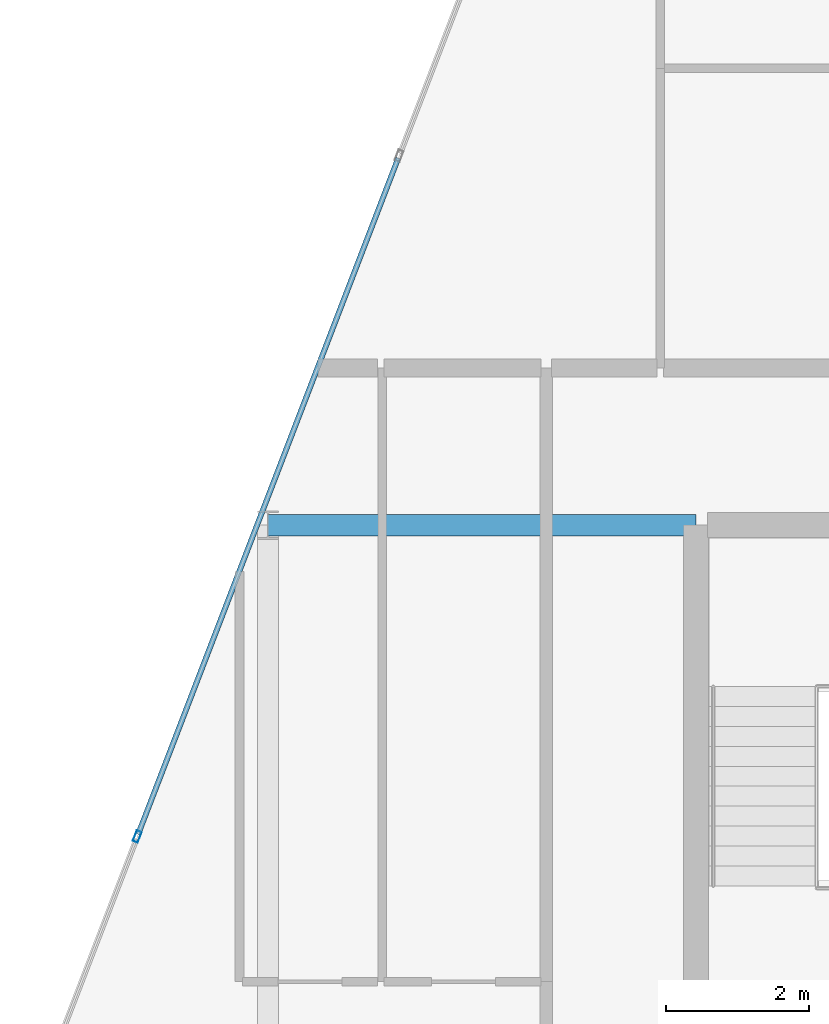
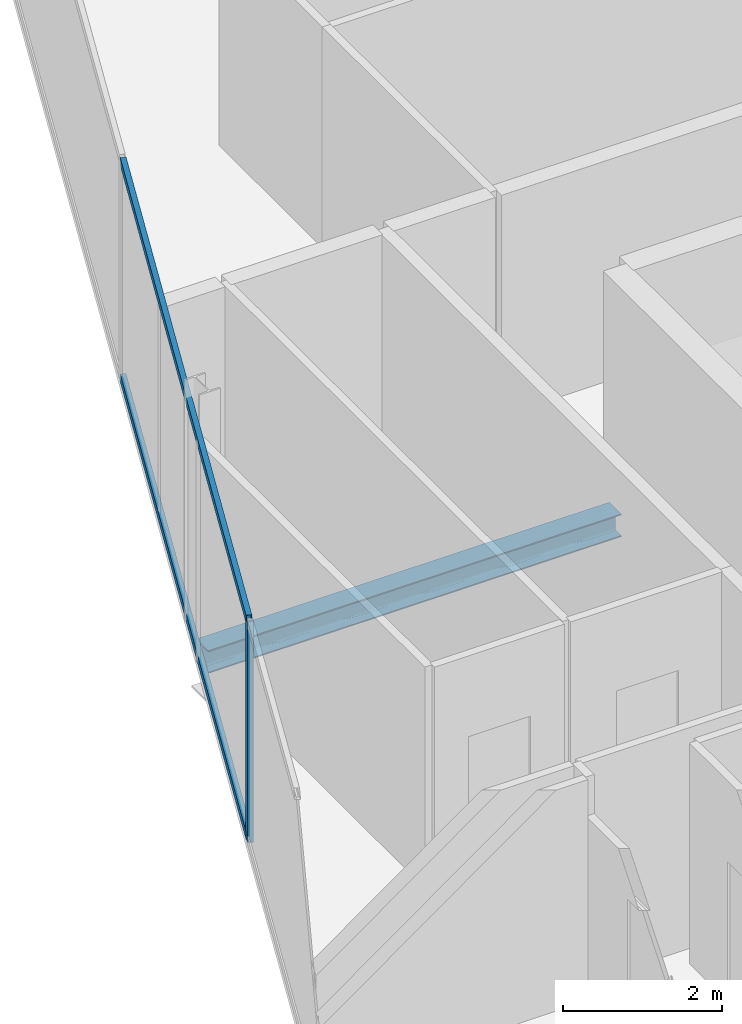
# One storey, part 10 of 27: 3 members, 1 beam, 1 element without a shape of its own.
"""IFC4 building model written with IfcOpenShell, lengths in metres."""

from ifc_helpers import new_model, si_unit, direction, frame, origin, origin_2d, place, context, subcontext, project, spatial, hollow_rectangle, i_section, extrude, material, layer, layer_set, material_profile, profile_set, type_object, element, aggregate, save


model = new_model("IFC4")

# Units and contexts
model_context = context("Model", 3, precision=1e-05, world=origin(), true_north=direction((0.0, 1.0)))
body_context = subcontext(model_context, "Body", "Model", "MODEL_VIEW")
ifc_project = project(units=[si_unit("LENGTHUNIT", "METRE"), si_unit("AREAUNIT", "SQUARE_METRE"), si_unit("VOLUMEUNIT", "CUBIC_METRE"), si_unit("PLANEANGLEUNIT", "RADIAN"), si_unit("MASSUNIT", "GRAM", prefix="KILO")], contexts=[model_context])

# Site, building, storey
site_placement = place(None, origin())
site = spatial("IfcSite", under=ifc_project, at=site_placement, CompositionType="ELEMENT")
building_placement = place(site_placement, origin())
building = spatial("IfcBuilding", under=site, at=building_placement, Name="Keshet Zoharim Tower", CompositionType="ELEMENT")
storey_placement = place(building_placement, frame((0.0, 0.0, 307.300048828125)))
storey = spatial("IfcBuildingStorey", under=building, at=storey_placement, Name="L77", CompositionType="ELEMENT", Elevation=307.300048828125)

# Beam
ifc_material_1 = material(Name="Steel S355", Category="steel")
ifc_material_profile_1 = material_profile(ifc_material_1, i_section(OverallWidth=0.300048828125, OverallDepth=0.35009765625, WebThickness=0.010009765625, FlangeThickness=0.017578125, FilletRadius=0.027099609375, at=origin_2d()), Name="HEA360")
ifc_profile_set_1 = profile_set([ifc_material_profile_1], Name="Steel S355")
beam_type = type_object("IfcBeamType", Name="BM-PRI-HA360", PredefinedType="BEAM", material=ifc_profile_set_1)
beam_placement = place(storey_placement, frame((9.0, 37.89990234375, -0.485107421875), z_axis=(1.0, 0.0, 0.0), x_axis=(0.0, 1.0, 0.0)))
element("IfcBeam", 1, at=beam_placement, inside=storey, type_object=beam_type, Name="L77 Primary Girder X-008", PredefinedType="BEAM", context=body_context, shape_type="SweptSolid", body=[
    extrude(i_section(OverallWidth=0.300048828125, OverallDepth=0.35009765625, WebThickness=0.010009765625, FlangeThickness=0.017578125, FilletRadius=0.027099609375, at=origin_2d()), origin(), (0.0, 0.0, 1.0), 6.0),
])

# Curtain wall, members
ifc_material_2 = material(Name="Aluminium 6063-T6", Category="aluminium")
ifc_layer = layer(ifc_material_2, 0.260009765625)
ifc_layer_set = layer_set([ifc_layer], Name="Aluminium 6063-T6")
curtain_wall_type = type_object("IfcCurtainWallType", Name="CW-SYS-06", PredefinedType="NOTDEFINED", material=ifc_layer_set)
curtain_wall_placement = place(storey_placement, origin())
curtain_wall = element("IfcCurtainWall", 2, at=curtain_wall_placement, inside=storey, type_object=curtain_wall_type, Name="L77 Unitised Curtain Wall 03", PredefinedType="NOTDEFINED")
ifc_material_profile_2 = material_profile(ifc_material_2, hollow_rectangle(XDim=0.074951171875, YDim=0.159912109375, WallThickness=0.00390625, at=origin_2d()), Name="MUL-75x160")
ifc_profile_set_2 = profile_set([ifc_material_profile_2], Name="Aluminium 6063-T6")
member_type_1 = type_object("IfcMemberType", Name="CWM-M15", PredefinedType="MULLION", material=ifc_profile_set_2)
member_1_placement = place(storey_placement, frame((7.1669921875, 33.53466796875, 0.0), z_axis=(0.0, 0.0, 1.0), x_axis=(-0.933341404361, 0.358990003907, 0.0)))
member_1 = element("IfcMember", 3, at=member_1_placement, type_object=member_type_1, Name="CW-06 mullion 2", PredefinedType="MULLION", context=body_context, shape_type="SweptSolid", body=[
    extrude(hollow_rectangle(XDim=0.074951171875, YDim=0.159912109375, WallThickness=0.00390625, at=origin_2d()), origin(), (0.0, 0.0, 1.0), 3.389892578125),
])
ifc_material_profile_3 = material_profile(ifc_material_2, hollow_rectangle(XDim=0.074951171875, YDim=0.1201171875, WallThickness=0.00390625, at=origin_2d()), Name="TRN-75x120")
ifc_profile_set_3 = profile_set([ifc_material_profile_3], Name="Aluminium 6063-T6")
member_type_2 = type_object("IfcMemberType", Name="CWT-T12", PredefinedType="USERDEFINED", material=ifc_profile_set_3)
member_2_placement = place(storey_placement, frame((7.179443359375, 33.5673828125, 0.034912109375), z_axis=(0.359003248899, 0.933336309848, 0.0), x_axis=(-0.933336309848, 0.359003248899, 0.0)))
member_2 = element("IfcMember", 4, at=member_2_placement, type_object=member_type_2, Name="CW-06 transom 2.1", ObjectType="TRANSOM", PredefinedType="USERDEFINED", context=body_context, shape_type="SweptSolid", body=[
    extrude(hollow_rectangle(XDim=0.074951171875, YDim=0.1201171875, WallThickness=0.00390625, at=origin_2d()), origin(), (0.0, 0.0, 1.0), 10.153076171875),
])
member_3_placement = place(storey_placement, frame((7.179443359375, 33.5673828125, 3.35498046875), z_axis=(0.359003248899, 0.933336309848, 0.0), x_axis=(-0.933336309848, 0.359003248899, 0.0)))
member_3 = element("IfcMember", 5, at=member_3_placement, type_object=member_type_2, Name="CW-06 transom 2.2", ObjectType="TRANSOM", PredefinedType="USERDEFINED", context=body_context, shape_type="SweptSolid", body=[
    extrude(hollow_rectangle(XDim=0.074951171875, YDim=0.1201171875, WallThickness=0.00390625, at=origin_2d()), origin(), (0.0, 0.0, 1.0), 10.153076171875),
])
aggregate(curtain_wall, [member_1, member_2, member_3])

save(model, "model.ifc")
